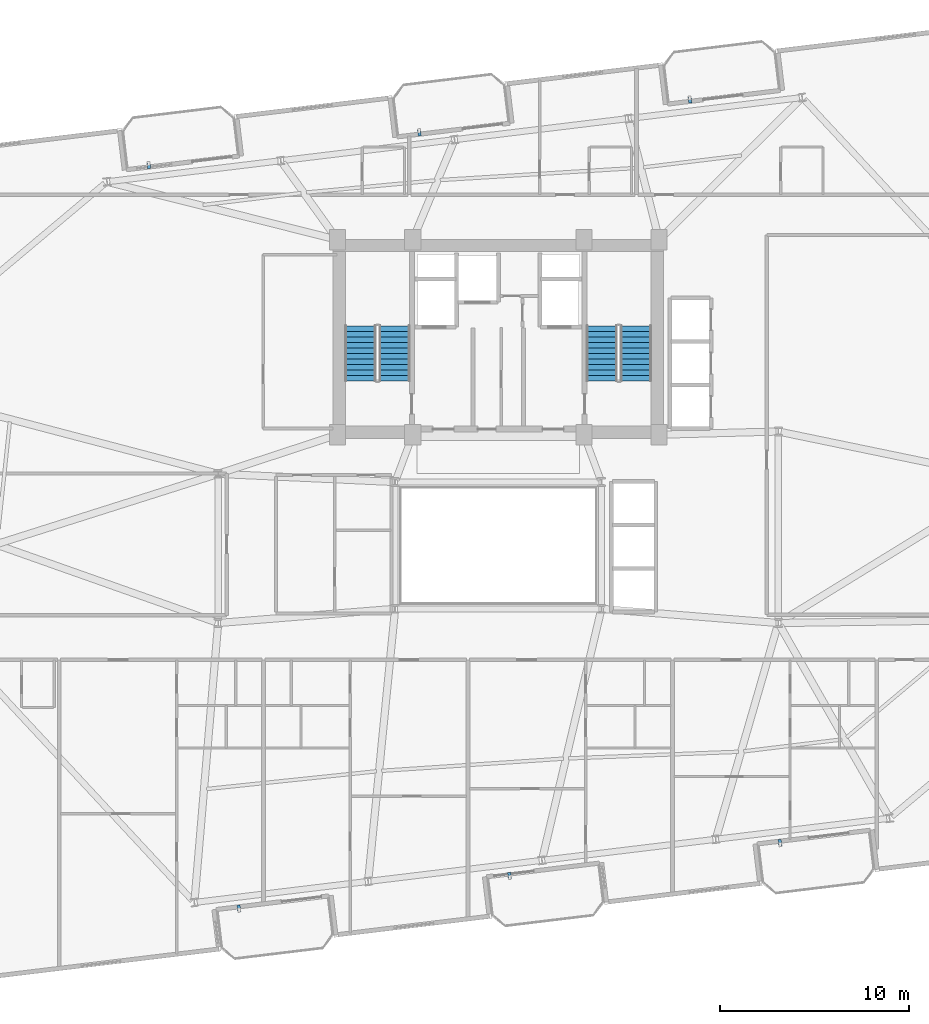
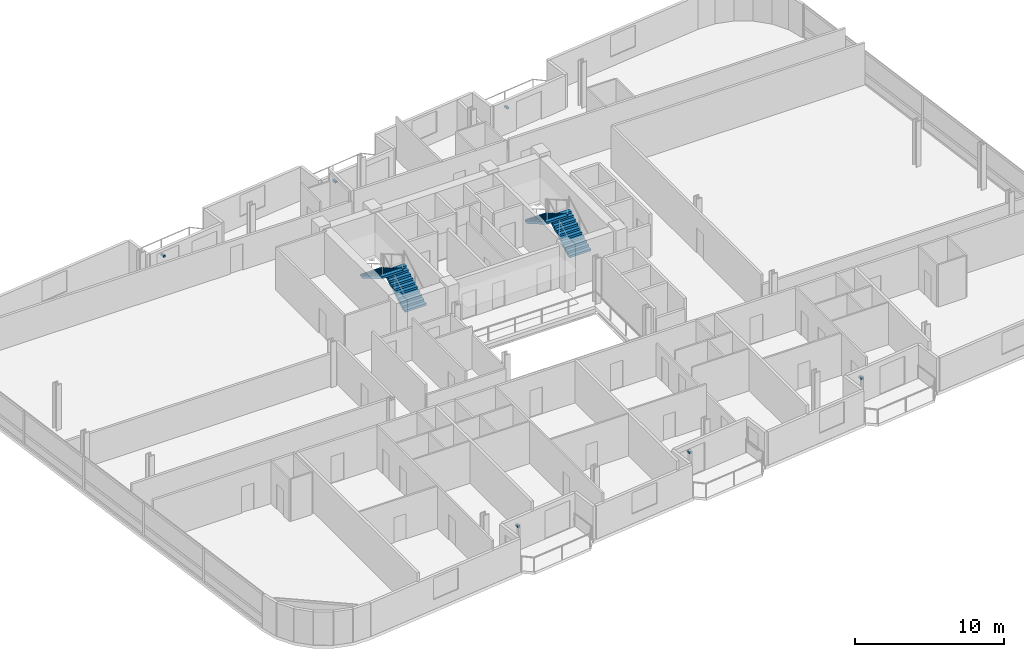
# One storey, part 20 of 24: 6 discrete accessories, 4 stair flights, 2 elements without a shape of their own.
"""IFC4 building model written with IfcOpenShell, lengths in metres."""

from ifc_helpers import new_model, si_unit, direction, frame, origin, origin_2d, place, context, subcontext, project, spatial, polyline, rectangle, outline, extrude, source, transform, mapped, material, type_object, element, aggregate, save


model = new_model("IFC4")

# Units and contexts
model_context = context("Model", 3, precision=1e-05, world=origin(), true_north=direction((0.0, 1.0)))
body_context = subcontext(model_context, "Body", "Model", "MODEL_VIEW")
ifc_project = project(units=[si_unit("LENGTHUNIT", "METRE"), si_unit("AREAUNIT", "SQUARE_METRE"), si_unit("VOLUMEUNIT", "CUBIC_METRE"), si_unit("PLANEANGLEUNIT", "RADIAN"), si_unit("MASSUNIT", "GRAM", prefix="KILO")], contexts=[model_context])

# Site, building, storey
site_placement = place(None, origin())
site = spatial("IfcSite", under=ifc_project, at=site_placement, CompositionType="ELEMENT")
building_placement = place(site_placement, origin())
building = spatial("IfcBuilding", under=site, at=building_placement, Name="Varnelok Gate Tower", CompositionType="ELEMENT")
storey_placement = place(building_placement, frame((0.0, 0.0, 167.199951171875)))
storey = spatial("IfcBuildingStorey", under=building, at=storey_placement, Name="L42", CompositionType="ELEMENT", Elevation=167.199951171875)

# Stair, stair flights
ifc_material_1 = material(Name="Concrete C50/60", Category="concrete")
stair_type = type_object("IfcStairType", Name="STR-CORE-1650", PredefinedType="HALF_TURN_STAIR", material=ifc_material_1)
stair_1_placement = place(storey_placement, origin())
stair_1 = element("IfcStair", 1, at=stair_1_placement, inside=storey, type_object=stair_type, Name="L42 Exit Stair ST-1", PredefinedType="HALF_TURN_STAIR")
stair_flight_type = type_object("IfcStairFlightType", Name="SFL-CORE-1650", PredefinedType="STRAIGHT", material=ifc_material_1)
stair_flight_1_placement = place(storey_placement, frame((33.72509765625, 31.60009765625, 0.0), z_axis=(0.0, 0.0, 1.0), x_axis=(0.0, 1.0, 0.0)))
stair_flight_1 = element("IfcStairFlight", 2, at=stair_flight_1_placement, type_object=stair_flight_type, Name="ST-1 flight 1", NumberOfRisers=11, NumberOfTreads=10, PredefinedType="STRAIGHT", RiserHeight=0.168181818, TreadLength=0.29, context=body_context, shape_type="SweptSolid", body=[
    extrude(outline(polyline([(0.0, 0.0), (0.0, 0.168212890625), (0.2900390625, 0.168212890625), (0.2900390625, 0.33642578125), (0.580078125, 0.33642578125), (0.580078125, 0.504638671875), (0.8701171875, 0.504638671875), (0.8701171875, 0.672607421875), (1.159912109375, 0.672607421875), (1.159912109375, 0.8408203125), (1.449951171875, 0.8408203125), (1.449951171875, 1.009033203125), (1.739990234375, 1.009033203125), (1.739990234375, 1.17724609375), (2.030029296875, 1.17724609375), (2.030029296875, 1.345458984375), (2.320068359375, 1.345458984375), (2.320068359375, 1.513671875), (2.610107421875, 1.513671875), (2.610107421875, 1.681884765625), (2.89990234375, 1.681884765625), (2.89990234375, 1.85009765625), (2.89990234375, 1.508544921875), (0.298828125, 0.0), (0.0, 0.0)])), frame((0.0, 0.824951171875, 0.0), z_axis=(0.0, -1.0, 0.0), x_axis=(1.0, 0.0, 0.0)), (0.0, 0.0, 1.0), 1.64990234375),
])
stair_flight_2_placement = place(storey_placement, frame((31.925048828125, 34.5, 1.85009765625), z_axis=(0.0, 0.0, 1.0), x_axis=(0.0, -1.0, 0.0)))
stair_flight_2 = element("IfcStairFlight", 3, at=stair_flight_2_placement, type_object=stair_flight_type, Name="ST-1 flight 2", NumberOfRisers=11, NumberOfTreads=10, PredefinedType="STRAIGHT", RiserHeight=0.168181818, TreadLength=0.29, context=body_context, shape_type="SweptSolid", body=[
    extrude(outline(polyline([(0.0, 0.0), (0.0, 0.168212890625), (0.2900390625, 0.168212890625), (0.2900390625, 0.33642578125), (0.580078125, 0.33642578125), (0.580078125, 0.504638671875), (0.8701171875, 0.504638671875), (0.8701171875, 0.672607421875), (1.159912109375, 0.672607421875), (1.159912109375, 0.8408203125), (1.449951171875, 0.8408203125), (1.449951171875, 1.009033203125), (1.739990234375, 1.009033203125), (1.739990234375, 1.17724609375), (2.030029296875, 1.17724609375), (2.030029296875, 1.345458984375), (2.320068359375, 1.345458984375), (2.320068359375, 1.513671875), (2.610107421875, 1.513671875), (2.610107421875, 1.681884765625), (2.89990234375, 1.681884765625), (2.89990234375, 1.85009765625), (2.89990234375, 1.508544921875), (0.298828125, 0.0), (0.0, 0.0)])), frame((0.0, 0.824951171875, 0.0), z_axis=(0.0, -1.0, 0.0), x_axis=(1.0, 0.0, 0.0)), (0.0, 0.0, 1.0), 1.64990234375),
])
aggregate(stair_1, [stair_flight_1, stair_flight_2])

stair_2_placement = place(storey_placement, origin())
stair_2 = element("IfcStair", 4, at=stair_2_placement, inside=storey, type_object=stair_type, Name="L42 Exit Stair ST-2", PredefinedType="HALF_TURN_STAIR")
stair_flight_3_placement = place(storey_placement, frame((46.47509765625, 31.60009765625, 0.0), z_axis=(0.0, 0.0, 1.0), x_axis=(0.0, 1.0, 0.0)))
stair_flight_3 = element("IfcStairFlight", 5, at=stair_flight_3_placement, type_object=stair_flight_type, Name="ST-2 flight 1", NumberOfRisers=11, NumberOfTreads=10, PredefinedType="STRAIGHT", RiserHeight=0.168181818, TreadLength=0.29, context=body_context, shape_type="SweptSolid", body=[
    extrude(outline(polyline([(0.0, 0.0), (0.0, 0.168212890625), (0.2900390625, 0.168212890625), (0.2900390625, 0.33642578125), (0.580078125, 0.33642578125), (0.580078125, 0.504638671875), (0.8701171875, 0.504638671875), (0.8701171875, 0.672607421875), (1.159912109375, 0.672607421875), (1.159912109375, 0.8408203125), (1.449951171875, 0.8408203125), (1.449951171875, 1.009033203125), (1.739990234375, 1.009033203125), (1.739990234375, 1.17724609375), (2.030029296875, 1.17724609375), (2.030029296875, 1.345458984375), (2.320068359375, 1.345458984375), (2.320068359375, 1.513671875), (2.610107421875, 1.513671875), (2.610107421875, 1.681884765625), (2.89990234375, 1.681884765625), (2.89990234375, 1.85009765625), (2.89990234375, 1.508544921875), (0.298828125, 0.0), (0.0, 0.0)])), frame((0.0, 0.824951171875, 0.0), z_axis=(0.0, -1.0, 0.0), x_axis=(1.0, 0.0, 0.0)), (0.0, 0.0, 1.0), 1.64990234375),
])
stair_flight_4_placement = place(storey_placement, frame((44.675048828125, 34.5, 1.85009765625), z_axis=(0.0, 0.0, 1.0), x_axis=(0.0, -1.0, 0.0)))
stair_flight_4 = element("IfcStairFlight", 6, at=stair_flight_4_placement, type_object=stair_flight_type, Name="ST-2 flight 2", NumberOfRisers=11, NumberOfTreads=10, PredefinedType="STRAIGHT", RiserHeight=0.168181818, TreadLength=0.29, context=body_context, shape_type="SweptSolid", body=[
    extrude(outline(polyline([(0.0, 0.0), (0.0, 0.168212890625), (0.2900390625, 0.168212890625), (0.2900390625, 0.33642578125), (0.580078125, 0.33642578125), (0.580078125, 0.504638671875), (0.8701171875, 0.504638671875), (0.8701171875, 0.672607421875), (1.159912109375, 0.672607421875), (1.159912109375, 0.8408203125), (1.449951171875, 0.8408203125), (1.449951171875, 1.009033203125), (1.739990234375, 1.009033203125), (1.739990234375, 1.17724609375), (2.030029296875, 1.17724609375), (2.030029296875, 1.345458984375), (2.320068359375, 1.345458984375), (2.320068359375, 1.513671875), (2.610107421875, 1.513671875), (2.610107421875, 1.681884765625), (2.89990234375, 1.681884765625), (2.89990234375, 1.85009765625), (2.89990234375, 1.508544921875), (0.298828125, 0.0), (0.0, 0.0)])), frame((0.0, 0.824951171875, 0.0), z_axis=(0.0, -1.0, 0.0), x_axis=(1.0, 0.0, 0.0)), (0.0, 0.0, 1.0), 1.64990234375),
])
aggregate(stair_2, [stair_flight_3, stair_flight_4])

# Discrete accessories
ifc_material_2 = material(Name="Structural Steel ASTM A500 Grade C", Category="steel")
discrete_accessory_type = type_object("IfcDiscreteAccessoryType", Name="ACC-BAGUETTE-BRK", PredefinedType="BRACKET", material=ifc_material_2)
shared_shape = source(origin(), body_context, "Body", "SweptSolid", [
    extrude(rectangle(XDim=0.159912109375, YDim=0.340087890625, at=origin_2d()), origin(), (0.0, 0.0, 1.0), 0.139892578125),
])
for number, where, z_axis, x_axis, name in (
    (7, (25.4970703125, 3.72412109375, 1.97998046875), (0.0, 0.0, 1.0), (0.992732158755, 0.12034475881, 0.0), "L42 Terracotta Baguette Bracket 1.1"),
    (8, (39.792236328125, 5.45703125, 1.97998046875), (0.0, 0.0, 1.0), (0.992732158755, 0.12034475881, 0.0), "L42 Terracotta Baguette Bracket 2.1"),
    (9, (54.087646484375, 7.18994140625, 1.97998046875), (0.0, 0.0, 1.0), (0.992732158755, 0.12034475881, 0.0), "L42 Terracotta Baguette Bracket 3.1"),
    (10, (20.738525390625, 42.976806640625, 1.97998046875), (0.0, 0.0, 1.0), (0.992732158755, 0.12034475881, 0.0), "L42 Terracotta Baguette Bracket 4.1"),
    (11, (35.033935546875, 44.709716796875, 1.97998046875), (0.0, 0.0, 1.0), (0.992732158755, 0.12034475881, 0.0), "L42 Terracotta Baguette Bracket 5.1"),
    (12, (49.3291015625, 46.442626953125, 1.97998046875), (0.0, 0.0, 1.0), (0.992732158755, 0.12034475881, 0.0), "L42 Terracotta Baguette Bracket 6.1"),
):
    element("IfcDiscreteAccessory", number, at=place(storey_placement, frame(where, z_axis=z_axis, x_axis=x_axis)), inside=storey, type_object=discrete_accessory_type, Name=name, PredefinedType="BRACKET", context=body_context, shape_type="MappedRepresentation", body=[
        mapped(shared_shape, transform((0.0, 0.0, 0.0), scale=1.0)),
    ])

save(model, "model.ifc")
